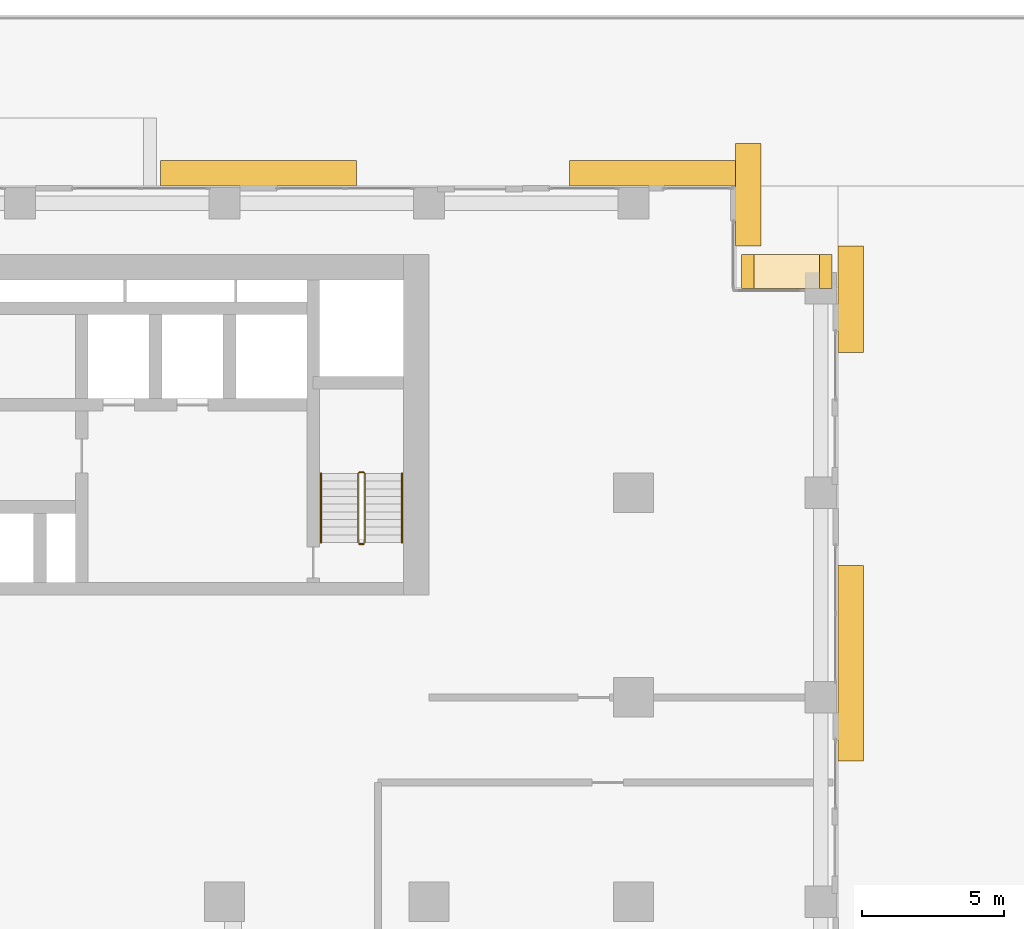
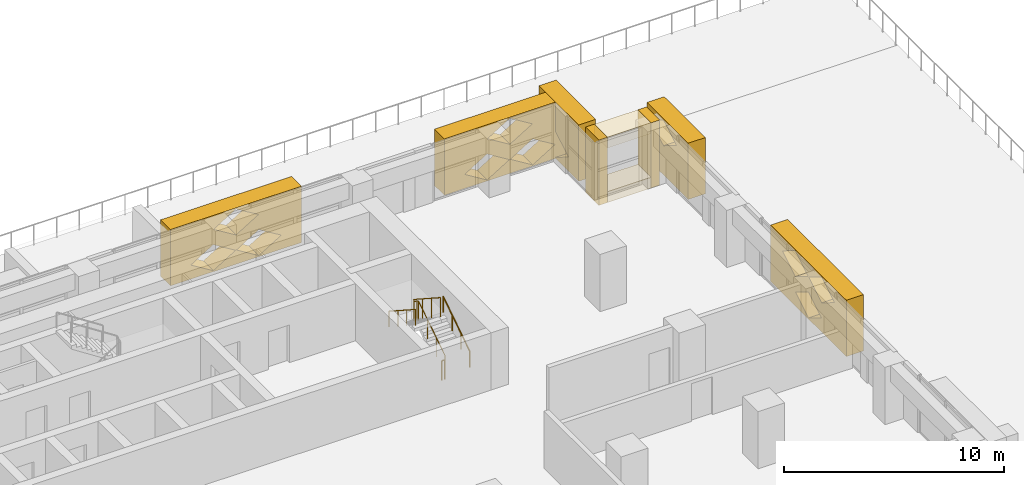
# One storey, part 24 of 24: 9 coverings, 4 railings.
"""IFC4 building model written with IfcOpenShell, lengths in metres."""

from ifc_helpers import new_model, si_unit, direction, frame, origin, origin_2d, place, context, subcontext, project, spatial, polyline, circle, outline, extrude, material, type_object, element, save


model = new_model("IFC4")

# Units and contexts
model_context = context("Model", 3, precision=1e-05, world=origin(), true_north=direction((0.0, 1.0)))
body_context = subcontext(model_context, "Body", "Model", "MODEL_VIEW")
ifc_project = project(units=[si_unit("LENGTHUNIT", "METRE"), si_unit("AREAUNIT", "SQUARE_METRE"), si_unit("VOLUMEUNIT", "CUBIC_METRE"), si_unit("PLANEANGLEUNIT", "RADIAN"), si_unit("MASSUNIT", "GRAM", prefix="KILO")], contexts=[model_context])

# Site, building, storey
site_placement = place(None, origin())
site = spatial("IfcSite", under=ifc_project, at=site_placement, CompositionType="ELEMENT")
building_placement = place(site_placement, origin())
building = spatial("IfcBuilding", under=site, at=building_placement, Name="Saffron Iwan Residences", CompositionType="ELEMENT")
storey_placement = place(building_placement, frame((0.0, 0.0, 27.0)))
storey = spatial("IfcBuildingStorey", under=building, at=storey_placement, Name="L05", CompositionType="ELEMENT", Elevation=27.0)

# Coverings
ifc_material_1 = material(Name="Precast concrete C40/50", Category="concrete")
covering_type_1 = type_object("IfcCoveringType", Name="OUTER SKIN LATTICE SCREEN", PredefinedType="CLADDING", material=ifc_material_1)
covering_1_placement = place(storey_placement, frame((86.39990234375, 60.14990234375, 0.050048828125), z_axis=(1.0, 0.0, 0.0), x_axis=(0.0, 1.0, 0.0)))
element("IfcCovering", 1, at=covering_1_placement, inside=storey, type_object=covering_type_1, Name="OUTER SKIN lattice screen L05 F2.1", PredefinedType="CLADDING", context=body_context, shape_type="SweptSolid", body=[
    extrude(outline(polyline([(0.0, 0.0), (6.89990234375, 0.0), (6.89990234375, 3.1298828125), (0.0, 3.1298828125), (0.0, 0.0)]), holes=[polyline([(2.27001953125, 0.782470703125), (3.449951171875, 0.06005859375), (4.6298828125, 0.782470703125), (3.449951171875, 1.5048828125), (2.27001953125, 0.782470703125)]), polyline([(1.070068359375, 2.347412109375), (2.25, 1.625), (3.429931640625, 2.347412109375), (2.25, 3.070068359375), (1.070068359375, 2.347412109375)]), polyline([(3.469970703125, 2.347412109375), (4.64990234375, 1.625), (5.830078125, 2.347412109375), (4.64990234375, 3.070068359375), (3.469970703125, 2.347412109375)])]), origin(), (0.0, 0.0, 1.0), 0.900146484375),
])
covering_2_placement = place(storey_placement, frame((86.39990234375, 74.550048828125, 0.050048828125), z_axis=(1.0, 0.0, 0.0), x_axis=(0.0, 1.0, 0.0)))
element("IfcCovering", 2, at=covering_2_placement, inside=storey, type_object=covering_type_1, Name="OUTER SKIN lattice screen L05 F2.2", PredefinedType="CLADDING", context=body_context, shape_type="SweptSolid", body=[
    extrude(outline(polyline([(0.0, 0.0), (3.75, 0.0), (3.75, 3.1298828125), (0.0, 3.1298828125), (0.0, 0.0)]), holes=[polyline([(1.070068359375, 2.347412109375), (2.25, 1.625), (3.429931640625, 2.347412109375), (2.25, 3.070068359375), (1.070068359375, 2.347412109375)])]), origin(), (0.0, 0.0, 1.0), 0.900146484375),
])
covering_3_placement = place(storey_placement, frame((82.800048828125, 78.300048828125, 0.050048828125), z_axis=(1.0, 0.0, 0.0), x_axis=(0.0, 1.0, 0.0)))
element("IfcCovering", 3, at=covering_3_placement, inside=storey, type_object=covering_type_1, Name="OUTER SKIN lattice screen L05 F4.0", PredefinedType="CLADDING", context=body_context, shape_type="SweptSolid", body=[
    extrude(outline(polyline([(0.0, 0.0), (3.60009765625, 0.0), (3.60009765625, 3.1298828125), (0.0, 3.1298828125), (0.0, 0.0)]), holes=[polyline([(0.919921875, 0.782470703125), (2.10009765625, 0.06005859375), (3.280029296875, 0.782470703125), (2.10009765625, 1.5048828125), (0.919921875, 0.782470703125)])]), origin(), (0.0, 0.0, 1.0), 0.89990234375),
])
covering_4_placement = place(storey_placement, frame((83.699951171875, 80.39990234375, 0.050048828125), z_axis=(0.0, 1.0, 0.0), x_axis=(-1.0, 0.0, 0.0)))
element("IfcCovering", 4, at=covering_4_placement, inside=storey, type_object=covering_type_1, Name="OUTER SKIN lattice screen L05 F5.0", PredefinedType="CLADDING", context=body_context, shape_type="SweptSolid", body=[
    extrude(outline(polyline([(0.0, 0.0), (6.75, 0.0), (6.75, 3.1298828125), (0.0, 3.1298828125), (0.0, 0.0)]), holes=[polyline([(0.919921875, 0.782470703125), (2.10009765625, 0.06005859375), (3.280029296875, 0.782470703125), (2.10009765625, 1.5048828125), (0.919921875, 0.782470703125)]), polyline([(3.320068359375, 0.782470703125), (4.5, 0.06005859375), (5.679931640625, 0.782470703125), (4.5, 1.5048828125), (3.320068359375, 0.782470703125)]), polyline([(2.1201171875, 2.347412109375), (3.300048828125, 1.625), (4.47998046875, 2.347412109375), (3.300048828125, 3.070068359375), (2.1201171875, 2.347412109375)])]), origin(), (0.0, 0.0, 1.0), 0.900146484375),
])
covering_5_placement = place(storey_placement, frame((69.449951171875, 80.39990234375, 0.050048828125), z_axis=(0.0, 1.0, 0.0), x_axis=(-1.0, 0.0, 0.0)))
element("IfcCovering", 5, at=covering_5_placement, inside=storey, type_object=covering_type_1, Name="OUTER SKIN lattice screen L05 F5.1", PredefinedType="CLADDING", context=body_context, shape_type="SweptSolid", body=[
    extrude(outline(polyline([(0.0, 0.0), (6.89990234375, 0.0), (6.89990234375, 3.1298828125), (0.0, 3.1298828125), (0.0, 0.0)]), holes=[polyline([(1.070068359375, 0.782470703125), (2.25, 0.06005859375), (3.429931640625, 0.782470703125), (2.25, 1.5048828125), (1.070068359375, 0.782470703125)]), polyline([(3.469970703125, 0.782470703125), (4.64990234375, 0.06005859375), (5.830078125, 0.782470703125), (4.64990234375, 1.5048828125), (3.469970703125, 0.782470703125)]), polyline([(2.27001953125, 2.347412109375), (3.449951171875, 1.625), (4.6298828125, 2.347412109375), (3.449951171875, 3.070068359375), (2.27001953125, 2.347412109375)])]), origin(), (0.0, 0.0, 1.0), 0.900146484375),
])

# Railings
ifc_material_2 = material(Name="Steel S355", Category="steel")
railing_type_1 = type_object("IfcRailingType", Name="Stair guard 1100", PredefinedType="GUARDRAIL", material=ifc_material_2)
railing_1_placement = place(storey_placement, frame((69.75, 67.85009765625, 0.175048828125)))
element("IfcRailing", 6, at=railing_1_placement, inside=storey, type_object=railing_type_1, Name="L05 ST-E stair guard 1", PredefinedType="GUARDRAIL", context=body_context, shape_type="SweptSolid", body=[
    extrude(circle(Radius=0.02392578125, at=origin_2d()), frame((0.0, 0.0, 1.076171875), z_axis=(0.0, 0.839153699163, 0.543894354798), x_axis=(-1.0, 0.0, 0.0)), (0.0, 0.0, 1.0), 2.895751953125),
    extrude(circle(Radius=0.02392578125, at=origin_2d()), frame((0.0, 2.429931640625, 2.65087890625), z_axis=(-0.707106781187, 0.707106781187, 0.0), x_axis=(-0.707106781187, -0.707106781187, 0.0)), (0.0, 0.0, 1.0), 0.07080078125),
    extrude(circle(Radius=0.02392578125, at=origin_2d()), frame((-0.050048828125, 2.47998046875, 2.65087890625), z_axis=(-1.0, 0.0, 0.0), x_axis=(0.0, -1.0, 0.0)), (0.0, 0.0, 1.0), 0.14990234375),
    extrude(circle(Radius=0.02392578125, at=origin_2d()), frame((-0.199951171875, 2.47998046875, 2.65087890625), z_axis=(-0.265065253269, -0.265065253269, 0.927081885822), x_axis=(0.707106781187, -0.707106781187, 0.0)), (0.0, 0.0, 1.0), 0.188720703125),
    extrude(circle(Radius=0.02392578125, at=origin_2d()), frame((-0.25, 2.429931640625, 2.826171875), z_axis=(0.0, -0.839153699163, 0.543894354798), x_axis=(1.0, 0.0, 0.0)), (0.0, 0.0, 1.0), 2.895751953125),
    extrude(circle(Radius=0.02099609375, at=origin_2d()), origin(), (0.0, 0.0, 1.0), 1.052001953125),
    extrude(circle(Radius=0.02099609375, at=origin_2d()), frame((0.0, 0.81005859375, 0.52490234375)), (0.0, 0.0, 1.0), 1.052001953125),
    extrude(circle(Radius=0.02099609375, at=origin_2d()), frame((0.0, 1.619873046875, 1.050048828125)), (0.0, 0.0, 1.0), 1.052001953125),
    extrude(circle(Radius=0.02099609375, at=origin_2d()), frame((0.0, 2.429931640625, 1.574951171875)), (0.0, 0.0, 1.0), 1.052001953125),
    extrude(circle(Radius=0.02099609375, at=origin_2d()), frame((-0.050048828125, 2.47998046875, 1.574951171875)), (0.0, 0.0, 1.0), 1.052001953125),
    extrude(circle(Radius=0.02099609375, at=origin_2d()), frame((-0.199951171875, 2.47998046875, 1.574951171875)), (0.0, 0.0, 1.0), 1.052001953125),
    extrude(circle(Radius=0.02099609375, at=origin_2d()), frame((-0.25, 2.429931640625, 1.75)), (0.0, 0.0, 1.0), 1.052001953125),
    extrude(circle(Radius=0.02099609375, at=origin_2d()), frame((-0.25, 1.619873046875, 2.27490234375)), (0.0, 0.0, 1.0), 1.052001953125),
    extrude(circle(Radius=0.02099609375, at=origin_2d()), frame((-0.25, 0.81005859375, 2.800048828125)), (0.0, 0.0, 1.0), 1.052001953125),
    extrude(circle(Radius=0.02099609375, at=origin_2d()), frame((-0.25, 0.0, 3.324951171875)), (0.0, 0.0, 1.0), 1.052001953125),
])
railing_2_placement = place(storey_placement, frame((69.699951171875, 67.800048828125, 0.0)))
element("IfcRailing", 7, at=railing_2_placement, inside=storey, type_object=railing_type_1, Name="L05 ST-E stair guard 2", PredefinedType="GUARDRAIL", context=body_context, shape_type="SweptSolid", body=[
    extrude(circle(Radius=0.02392578125, at=origin_2d()), frame((0.0, 0.0, 1.076171875), z_axis=(-1.0, 0.0, 0.0), x_axis=(0.0, -1.0, 0.0)), (0.0, 0.0, 1.0), 0.14990234375),
    extrude(circle(Radius=0.02099609375, at=origin_2d()), origin(), (0.0, 0.0, 1.0), 1.052001953125),
    extrude(circle(Radius=0.02099609375, at=origin_2d()), frame((-0.14990234375, 0.0, 0.0)), (0.0, 0.0, 1.0), 1.052001953125),
])
ifc_material_3 = material(Name="Stainless steel 316", Category="steel")
railing_type_2 = type_object("IfcRailingType", Name="Stair handrail 900", PredefinedType="HANDRAIL", material=ifc_material_3)
railing_3_placement = place(storey_placement, frame((71.050048828125, 67.85009765625, 0.175048828125)))
element("IfcRailing", 8, at=railing_3_placement, inside=storey, type_object=railing_type_2, Name="L05 ST-E stair handrail 1", PredefinedType="HANDRAIL", context=body_context, shape_type="SweptSolid", body=[
    extrude(circle(Radius=0.02392578125, at=origin_2d()), frame((0.0, 0.0, 0.8759765625), z_axis=(0.0, 0.839153699163, 0.543894354798), x_axis=(-1.0, 0.0, 0.0)), (0.0, 0.0, 1.0), 2.895751953125),
    extrude(circle(Radius=0.02099609375, at=origin_2d()), origin(), (0.0, 0.0, 1.0), 0.851806640625),
    extrude(circle(Radius=0.02099609375, at=origin_2d()), frame((0.0, 0.81005859375, 0.52490234375)), (0.0, 0.0, 1.0), 0.851806640625),
    extrude(circle(Radius=0.02099609375, at=origin_2d()), frame((0.0, 1.619873046875, 1.050048828125)), (0.0, 0.0, 1.0), 0.851806640625),
    extrude(circle(Radius=0.02099609375, at=origin_2d()), frame((0.0, 2.429931640625, 1.574951171875)), (0.0, 0.0, 1.0), 0.851806640625),
])
railing_4_placement = place(storey_placement, frame((68.199951171875, 70.280029296875, 1.925048828125)))
element("IfcRailing", 9, at=railing_4_placement, inside=storey, type_object=railing_type_2, Name="L05 ST-E stair handrail 2", PredefinedType="HANDRAIL", context=body_context, shape_type="SweptSolid", body=[
    extrude(circle(Radius=0.02392578125, at=origin_2d()), frame((0.0, 0.0, 0.8759765625), z_axis=(0.0, -0.839153699163, 0.543894354798), x_axis=(1.0, 0.0, 0.0)), (0.0, 0.0, 1.0), 2.895751953125),
    extrude(circle(Radius=0.02099609375, at=origin_2d()), origin(), (0.0, 0.0, 1.0), 0.851806640625),
    extrude(circle(Radius=0.02099609375, at=origin_2d()), frame((0.0, -0.81005859375, 0.52490234375)), (0.0, 0.0, 1.0), 0.851806640625),
    extrude(circle(Radius=0.02099609375, at=origin_2d()), frame((0.0, -1.619873046875, 1.050048828125)), (0.0, 0.0, 1.0), 0.851806640625),
    extrude(circle(Radius=0.02099609375, at=origin_2d()), frame((0.0, -2.429931640625, 1.574951171875)), (0.0, 0.0, 1.0), 0.851806640625),
])

# Coverings
ifc_material_4 = material(Name="Precast concrete C40/50 white painted", Category="concrete")
covering_type_2 = type_object("IfcCoveringType", Name="WHITE SUN FRAME PRECAST", PredefinedType="CLADDING", material=ifc_material_4)
for number, where, z_axis, x_axis, name in (
    (10, (86.199951171875, 76.800048828125, -0.449951171875), (0.0, 1.0, 0.0), (-1.0, 0.0, 0.0), "Sun frame L05 F3 0.2a"),
    (11, (83.449951171875, 76.800048828125, -0.449951171875), (0.0, 1.0, 0.0), (-1.0, 0.0, 0.0), "Sun frame L05 F3 0.2b"),
):
    element("IfcCovering", number, at=place(storey_placement, frame(where, z_axis=z_axis, x_axis=x_axis)), inside=storey, type_object=covering_type_2, Name=name, PredefinedType="CLADDING", context=body_context, shape_type="SweptSolid", body=[
        extrude(outline(polyline([(0.0, 0.0), (0.449951171875, 0.0), (0.449951171875, 3.6298828125), (0.0, 3.6298828125), (0.0, 0.0)])), origin(), (0.0, 0.0, 1.0), 1.199951171875),
    ])
for number, where, z_axis, x_axis, name in (
    (12, (85.75, 76.800048828125, 2.580078125), (0.0, 1.0, 0.0), (-1.0, 0.0, 0.0), "Sun frame L05 F3 0.2h"),
    (13, (85.75, 76.800048828125, -0.449951171875), (0.0, 1.0, 0.0), (-1.0, 0.0, 0.0), "Sun frame L05 F3 0.2s"),
):
    element("IfcCovering", number, at=place(storey_placement, frame(where, z_axis=z_axis, x_axis=x_axis)), inside=storey, type_object=covering_type_2, Name=name, PredefinedType="CLADDING", context=body_context, shape_type="SweptSolid", body=[
        extrude(outline(polyline([(0.0, 0.0), (2.300048828125, 0.0), (2.300048828125, 0.60009765625), (0.0, 0.60009765625), (0.0, 0.0)])), origin(), (0.0, 0.0, 1.0), 1.199951171875),
    ])

save(model, "model.ifc")
